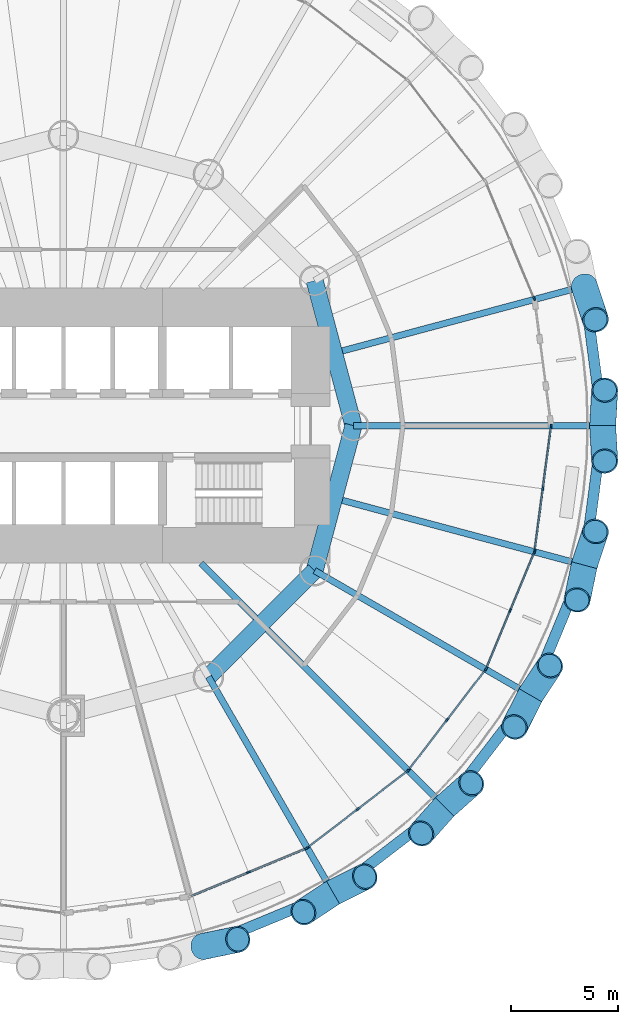
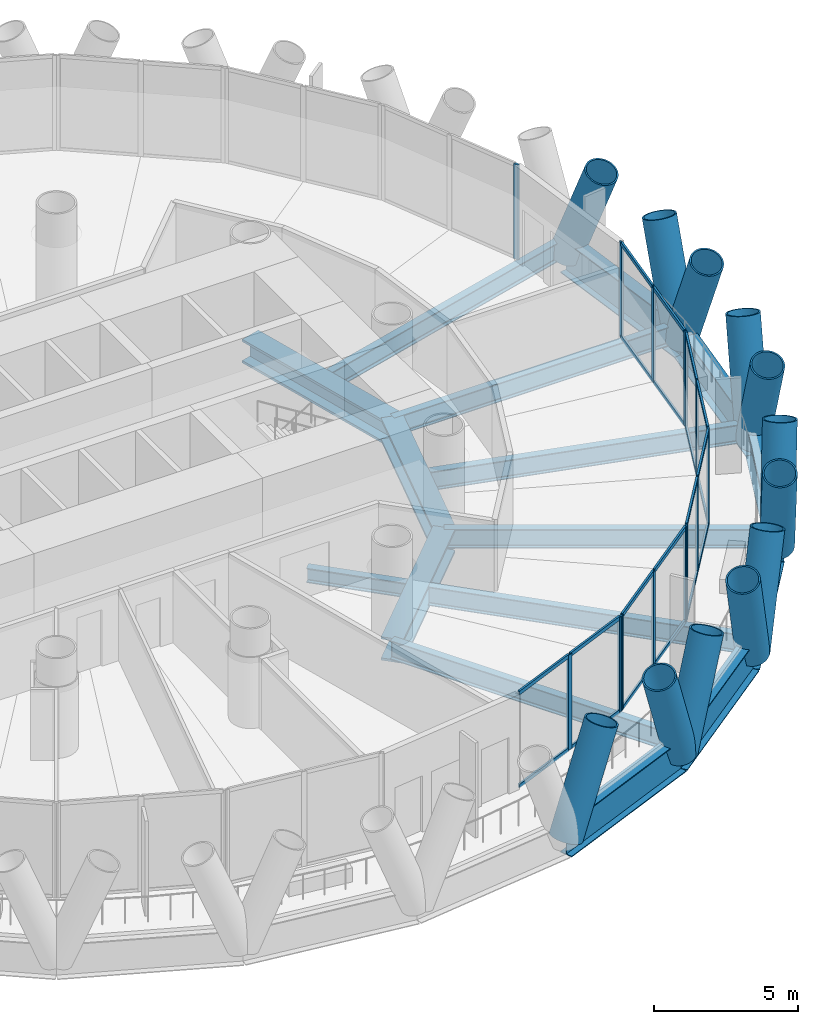
# One storey, part 4 of 14: 47 members, 16 beams, 6 elements without a shape of their own.
"""IFC4 building model written with IfcOpenShell, lengths in metres."""

from ifc_helpers import new_model, si_unit, direction, frame, origin, origin_2d, place, context, subcontext, project, spatial, rectangle, hollow_circle, i_section, extrude, material, material_profile, profile_set, type_object, element, aggregate, save


model = new_model("IFC4")

# Units and contexts
model_context = context("Model", 3, precision=1e-05, world=origin(), true_north=direction((0.0, 1.0)))
body_context = subcontext(model_context, "Body", "Model", "MODEL_VIEW")
ifc_project = project(units=[si_unit("LENGTHUNIT", "METRE"), si_unit("AREAUNIT", "SQUARE_METRE"), si_unit("VOLUMEUNIT", "CUBIC_METRE"), si_unit("PLANEANGLEUNIT", "RADIAN"), si_unit("MASSUNIT", "GRAM", prefix="KILO")], contexts=[model_context])

# Site, building, storey
site_placement = place(None, origin())
site = spatial("IfcSite", under=ifc_project, at=site_placement, CompositionType="ELEMENT")
building_placement = place(site_placement, origin())
building = spatial("IfcBuilding", under=site, at=building_placement, Name="Qaws Media Tower", CompositionType="ELEMENT")
storey_placement = place(building_placement, frame((0.0, 0.0, 59.60009765625)))
storey = spatial("IfcBuildingStorey", under=building, at=storey_placement, Name="L12", CompositionType="ELEMENT", Elevation=59.60009765625)

# Curtain wall, member
ifc_material_1 = material(Name="Aluminium and clear glass", Category="aluminium")
curtain_wall_type = type_object("IfcCurtainWallType", Name="Unitised curtain wall CW-A", PredefinedType="NOTDEFINED", material=ifc_material_1)
curtain_wall_1_placement = place(storey_placement, origin())
curtain_wall_1 = element("IfcCurtainWall", 1, at=curtain_wall_1_placement, inside=storey, type_object=curtain_wall_type, Name="CWA curtain wall L12-02", PredefinedType="NOTDEFINED")
ifc_material_2 = material(Name="Aluminium mullion", Category="aluminium")
ifc_material_profile_1 = material_profile(ifc_material_2, rectangle(XDim=0.080078125, YDim=0.199951171875, at=origin_2d()), Name="80x200")
ifc_profile_set_1 = profile_set([ifc_material_profile_1], Name="Aluminium mullion")
member_type_1 = type_object("IfcMemberType", Name="Curtain wall mullion 80x200", PredefinedType="MULLION", material=ifc_profile_set_1)
member_1_placement = place(storey_placement, frame((81.9111328125, 55.912109375, 0.0), z_axis=(0.0, 0.0, 1.0), x_axis=(-0.923879575765, -0.382683327941, 0.0)))
member_1 = element("IfcMember", 2, at=member_1_placement, type_object=member_type_1, Name="CWA mullion 1", PredefinedType="MULLION", context=body_context, shape_type="SweptSolid", body=[
    extrude(rectangle(XDim=0.080078125, YDim=0.199951171875, at=origin_2d()), origin(), (0.0, 0.0, 1.0), 4.039794921875),
])
aggregate(curtain_wall_1, [member_1])

# Curtain wall, members
curtain_wall_2_placement = place(storey_placement, origin())
curtain_wall_2 = element("IfcCurtainWall", 3, at=curtain_wall_2_placement, inside=storey, type_object=curtain_wall_type, Name="CWA curtain wall L12-20", PredefinedType="NOTDEFINED")
member_2_placement = place(storey_placement, frame((68.612548828125, 29.207275390625, 0.0), z_axis=(0.0, 0.0, 1.0), x_axis=(-0.382683327941, 0.923879575765, 0.0)))
member_2 = element("IfcMember", 4, at=member_2_placement, type_object=member_type_1, Name="CWA mullion 2", PredefinedType="MULLION", context=body_context, shape_type="SweptSolid", body=[
    extrude(rectangle(XDim=0.080078125, YDim=0.199951171875, at=origin_2d()), origin(), (0.0, 0.0, 1.0), 4.039794921875),
])
member_3_placement = place(storey_placement, frame((71.31298828125, 30.325927734375, 0.0), z_axis=(0.0, 0.0, 1.0), x_axis=(-0.382683327941, 0.923879575765, 0.0)))
member_3 = element("IfcMember", 5, at=member_3_placement, type_object=member_type_1, Name="CWA mullion 3", PredefinedType="MULLION", context=body_context, shape_type="SweptSolid", body=[
    extrude(rectangle(XDim=0.080078125, YDim=0.199951171875, at=origin_2d()), origin(), (0.0, 0.0, 1.0), 4.039794921875),
])

curtain_wall_3_placement = place(storey_placement, origin())
curtain_wall_3 = element("IfcCurtainWall", 6, at=curtain_wall_3_placement, inside=storey, type_object=curtain_wall_type, Name="CWA curtain wall L12-21", PredefinedType="NOTDEFINED")
member_4_placement = place(storey_placement, frame((71.3818359375, 30.365478515625, 0.0), z_axis=(0.0, 0.0, 1.0), x_axis=(-0.608761451911, 0.793353322718, 0.0)))
member_4 = element("IfcMember", 7, at=member_4_placement, type_object=member_type_1, Name="CWA mullion 1", PredefinedType="MULLION", context=body_context, shape_type="SweptSolid", body=[
    extrude(rectangle(XDim=0.080078125, YDim=0.199951171875, at=origin_2d()), origin(), (0.0, 0.0, 1.0), 4.039794921875),
])
member_5_placement = place(storey_placement, frame((73.70068359375, 32.14501953125, 0.0), z_axis=(0.0, 0.0, 1.0), x_axis=(-0.608761451911, 0.793353322718, 0.0)))
member_5 = element("IfcMember", 8, at=member_5_placement, type_object=member_type_1, Name="CWA mullion 2", PredefinedType="MULLION", context=body_context, shape_type="SweptSolid", body=[
    extrude(rectangle(XDim=0.080078125, YDim=0.199951171875, at=origin_2d()), origin(), (0.0, 0.0, 1.0), 4.039794921875),
])
member_6_placement = place(storey_placement, frame((76.01953125, 33.92431640625, 0.0), z_axis=(0.0, 0.0, 1.0), x_axis=(-0.608761451911, 0.793353322718, 0.0)))
member_6 = element("IfcMember", 9, at=member_6_placement, type_object=member_type_1, Name="CWA mullion 3", PredefinedType="MULLION", context=body_context, shape_type="SweptSolid", body=[
    extrude(rectangle(XDim=0.080078125, YDim=0.199951171875, at=origin_2d()), origin(), (0.0, 0.0, 1.0), 4.039794921875),
])

curtain_wall_4_placement = place(storey_placement, origin())
curtain_wall_4 = element("IfcCurtainWall", 10, at=curtain_wall_4_placement, inside=storey, type_object=curtain_wall_type, Name="CWA curtain wall L12-22", PredefinedType="NOTDEFINED")
member_7_placement = place(storey_placement, frame((76.07568359375, 33.98046875, 0.0), z_axis=(0.0, 0.0, 1.0), x_axis=(-0.793353322718, 0.608761451911, 0.0)))
member_7 = element("IfcMember", 11, at=member_7_placement, type_object=member_type_1, Name="CWA mullion 1", PredefinedType="MULLION", context=body_context, shape_type="SweptSolid", body=[
    extrude(rectangle(XDim=0.080078125, YDim=0.199951171875, at=origin_2d()), origin(), (0.0, 0.0, 1.0), 4.039794921875),
])
member_8_placement = place(storey_placement, frame((77.85498046875, 36.29931640625, 0.0), z_axis=(0.0, 0.0, 1.0), x_axis=(-0.793353322718, 0.608761451911, 0.0)))
member_8 = element("IfcMember", 12, at=member_8_placement, type_object=member_type_1, Name="CWA mullion 2", PredefinedType="MULLION", context=body_context, shape_type="SweptSolid", body=[
    extrude(rectangle(XDim=0.080078125, YDim=0.199951171875, at=origin_2d()), origin(), (0.0, 0.0, 1.0), 4.039794921875),
])
member_9_placement = place(storey_placement, frame((79.634521484375, 38.6181640625, 0.0), z_axis=(0.0, 0.0, 1.0), x_axis=(-0.793353322718, 0.608761451911, 0.0)))
member_9 = element("IfcMember", 13, at=member_9_placement, type_object=member_type_1, Name="CWA mullion 3", PredefinedType="MULLION", context=body_context, shape_type="SweptSolid", body=[
    extrude(rectangle(XDim=0.080078125, YDim=0.199951171875, at=origin_2d()), origin(), (0.0, 0.0, 1.0), 4.039794921875),
])

curtain_wall_5_placement = place(storey_placement, origin())
curtain_wall_5 = element("IfcCurtainWall", 14, at=curtain_wall_5_placement, inside=storey, type_object=curtain_wall_type, Name="CWA curtain wall L12-23", PredefinedType="NOTDEFINED")
member_10_placement = place(storey_placement, frame((79.674072265625, 38.68701171875, 0.0), z_axis=(0.0, 0.0, 1.0), x_axis=(-0.923879575765, 0.382683327941, 0.0)))
member_10 = element("IfcMember", 15, at=member_10_placement, type_object=member_type_1, Name="CWA mullion 1", PredefinedType="MULLION", context=body_context, shape_type="SweptSolid", body=[
    extrude(rectangle(XDim=0.080078125, YDim=0.199951171875, at=origin_2d()), origin(), (0.0, 0.0, 1.0), 4.039794921875),
])
member_11_placement = place(storey_placement, frame((80.792724609375, 41.387451171875, 0.0), z_axis=(0.0, 0.0, 1.0), x_axis=(-0.923879575765, 0.382683327941, 0.0)))
member_11 = element("IfcMember", 16, at=member_11_placement, type_object=member_type_1, Name="CWA mullion 2", PredefinedType="MULLION", context=body_context, shape_type="SweptSolid", body=[
    extrude(rectangle(XDim=0.080078125, YDim=0.199951171875, at=origin_2d()), origin(), (0.0, 0.0, 1.0), 4.039794921875),
])
member_12_placement = place(storey_placement, frame((81.9111328125, 44.087890625, 0.0), z_axis=(0.0, 0.0, 1.0), x_axis=(-0.923879575765, 0.382683327941, 0.0)))
member_12 = element("IfcMember", 17, at=member_12_placement, type_object=member_type_1, Name="CWA mullion 3", PredefinedType="MULLION", context=body_context, shape_type="SweptSolid", body=[
    extrude(rectangle(XDim=0.080078125, YDim=0.199951171875, at=origin_2d()), origin(), (0.0, 0.0, 1.0), 4.039794921875),
])

curtain_wall_6_placement = place(storey_placement, origin())
curtain_wall_6 = element("IfcCurtainWall", 18, at=curtain_wall_6_placement, inside=storey, type_object=curtain_wall_type, Name="CWA curtain wall L12-24", PredefinedType="NOTDEFINED")
member_13_placement = place(storey_placement, frame((81.931640625, 44.16455078125, 0.0), z_axis=(0.0, 0.0, 1.0), x_axis=(-0.991444854836, 0.130526241882, 0.0)))
member_13 = element("IfcMember", 19, at=member_13_placement, type_object=member_type_1, Name="CWA mullion 1", PredefinedType="MULLION", context=body_context, shape_type="SweptSolid", body=[
    extrude(rectangle(XDim=0.080078125, YDim=0.199951171875, at=origin_2d()), origin(), (0.0, 0.0, 1.0), 4.039794921875),
])
member_14_placement = place(storey_placement, frame((82.313232421875, 47.0625, 0.0), z_axis=(0.0, 0.0, 1.0), x_axis=(-0.991444854836, 0.130526241882, 0.0)))
member_14 = element("IfcMember", 20, at=member_14_placement, type_object=member_type_1, Name="CWA mullion 2", PredefinedType="MULLION", context=body_context, shape_type="SweptSolid", body=[
    extrude(rectangle(XDim=0.080078125, YDim=0.199951171875, at=origin_2d()), origin(), (0.0, 0.0, 1.0), 4.039794921875),
])
member_15_placement = place(storey_placement, frame((82.69482421875, 49.96044921875, 0.0), z_axis=(0.0, 0.0, 1.0), x_axis=(-0.991444854836, 0.130526241882, 0.0)))
member_15 = element("IfcMember", 21, at=member_15_placement, type_object=member_type_1, Name="CWA mullion 3", PredefinedType="MULLION", context=body_context, shape_type="SweptSolid", body=[
    extrude(rectangle(XDim=0.080078125, YDim=0.199951171875, at=origin_2d()), origin(), (0.0, 0.0, 1.0), 4.039794921875),
])

# Member
ifc_material_3 = material(Name="Aluminium transom", Category="aluminium")
ifc_material_profile_2 = material_profile(ifc_material_3, rectangle(XDim=0.080078125, YDim=0.159912109375, at=origin_2d()), Name="80x160")
ifc_profile_set_2 = profile_set([ifc_material_profile_2], Name="Aluminium transom")
member_type_2 = type_object("IfcMemberType", Name="Curtain wall transom 80x160", PredefinedType="USERDEFINED", material=ifc_profile_set_2)
member_16_placement = place(storey_placement, frame((65.94921875, 28.10400390625, 0.039794921875), z_axis=(0.923852493232, 0.382748704437, 0.0), x_axis=(-0.382748704437, 0.923852493232, 0.0)))
member_16 = element("IfcMember", 22, at=member_16_placement, type_object=member_type_2, Name="CWA transom 1.1", ObjectType="TRANSOM", PredefinedType="USERDEFINED", context=body_context, shape_type="SweptSolid", body=[
    extrude(rectangle(XDim=0.080078125, YDim=0.159912109375, at=origin_2d()), origin(), (0.0, 0.0, 1.0), 2.843017578125),
])

member_17_placement = place(storey_placement, frame((65.94921875, 28.10400390625, 4.0), z_axis=(0.923852493232, 0.382748704437, 0.0), x_axis=(-0.382748704437, 0.923852493232, 0.0)))
member_17 = element("IfcMember", 23, at=member_17_placement, type_object=member_type_2, Name="CWA transom 1.2", ObjectType="TRANSOM", PredefinedType="USERDEFINED", context=body_context, shape_type="SweptSolid", body=[
    extrude(rectangle(XDim=0.080078125, YDim=0.159912109375, at=origin_2d()), origin(), (0.0, 0.0, 1.0), 2.843017578125),
])

member_18_placement = place(storey_placement, frame((68.649658203125, 29.22265625, 0.039794921875), z_axis=(0.923882857314, 0.382675405483, 0.0), x_axis=(-0.382675405483, 0.923882857314, 0.0)))
member_18 = element("IfcMember", 24, at=member_18_placement, type_object=member_type_2, Name="CWA transom 2.1", ObjectType="TRANSOM", PredefinedType="USERDEFINED", context=body_context, shape_type="SweptSolid", body=[
    extrude(rectangle(XDim=0.080078125, YDim=0.159912109375, at=origin_2d()), origin(), (0.0, 0.0, 1.0), 2.8427734375),
])

member_19_placement = place(storey_placement, frame((68.649658203125, 29.22265625, 4.0), z_axis=(0.923882857314, 0.382675405483, 0.0), x_axis=(-0.382675405483, 0.923882857314, 0.0)))
member_19 = element("IfcMember", 25, at=member_19_placement, type_object=member_type_2, Name="CWA transom 2.2", ObjectType="TRANSOM", PredefinedType="USERDEFINED", context=body_context, shape_type="SweptSolid", body=[
    extrude(rectangle(XDim=0.080078125, YDim=0.159912109375, at=origin_2d()), origin(), (0.0, 0.0, 1.0), 2.8427734375),
])

aggregate(curtain_wall_2, [member_2, member_3, member_16, member_17, member_18, member_19])

member_20_placement = place(storey_placement, frame((71.41357421875, 30.389892578125, 0.039794921875), z_axis=(0.79333536919, 0.608784848689, 0.0), x_axis=(-0.608784848689, 0.79333536919, 0.0)))
member_20 = element("IfcMember", 26, at=member_20_placement, type_object=member_type_2, Name="CWA transom 1.1", ObjectType="TRANSOM", PredefinedType="USERDEFINED", context=body_context, shape_type="SweptSolid", body=[
    extrude(rectangle(XDim=0.080078125, YDim=0.159912109375, at=origin_2d()), origin(), (0.0, 0.0, 1.0), 2.843017578125),
])

member_21_placement = place(storey_placement, frame((71.41357421875, 30.389892578125, 4.0), z_axis=(0.79333536919, 0.608784848689, 0.0), x_axis=(-0.608784848689, 0.79333536919, 0.0)))
member_21 = element("IfcMember", 27, at=member_21_placement, type_object=member_type_2, Name="CWA transom 1.2", ObjectType="TRANSOM", PredefinedType="USERDEFINED", context=body_context, shape_type="SweptSolid", body=[
    extrude(rectangle(XDim=0.080078125, YDim=0.159912109375, at=origin_2d()), origin(), (0.0, 0.0, 1.0), 2.843017578125),
])

member_22_placement = place(storey_placement, frame((73.732421875, 32.169189453125, 0.039794921875), z_axis=(0.79333536919, 0.608784848689, 0.0), x_axis=(-0.608784848689, 0.79333536919, 0.0)))
member_22 = element("IfcMember", 28, at=member_22_placement, type_object=member_type_2, Name="CWA transom 2.1", ObjectType="TRANSOM", PredefinedType="USERDEFINED", context=body_context, shape_type="SweptSolid", body=[
    extrude(rectangle(XDim=0.080078125, YDim=0.159912109375, at=origin_2d()), origin(), (0.0, 0.0, 1.0), 2.843017578125),
])

member_23_placement = place(storey_placement, frame((73.732421875, 32.169189453125, 4.0), z_axis=(0.79333536919, 0.608784848689, 0.0), x_axis=(-0.608784848689, 0.79333536919, 0.0)))
member_23 = element("IfcMember", 29, at=member_23_placement, type_object=member_type_2, Name="CWA transom 2.2", ObjectType="TRANSOM", PredefinedType="USERDEFINED", context=body_context, shape_type="SweptSolid", body=[
    extrude(rectangle(XDim=0.080078125, YDim=0.159912109375, at=origin_2d()), origin(), (0.0, 0.0, 1.0), 2.843017578125),
])

aggregate(curtain_wall_3, [member_4, member_5, member_6, member_20, member_21, member_22, member_23])

member_24_placement = place(storey_placement, frame((76.10009765625, 34.01220703125, 0.039794921875), z_axis=(0.608784848689, 0.79333536919, 0.0), x_axis=(-0.79333536919, 0.608784848689, 0.0)))
member_24 = element("IfcMember", 30, at=member_24_placement, type_object=member_type_2, Name="CWA transom 1.1", ObjectType="TRANSOM", PredefinedType="USERDEFINED", context=body_context, shape_type="SweptSolid", body=[
    extrude(rectangle(XDim=0.080078125, YDim=0.159912109375, at=origin_2d()), origin(), (0.0, 0.0, 1.0), 2.843017578125),
])

member_25_placement = place(storey_placement, frame((76.10009765625, 34.01220703125, 4.0), z_axis=(0.608784848689, 0.79333536919, 0.0), x_axis=(-0.79333536919, 0.608784848689, 0.0)))
member_25 = element("IfcMember", 31, at=member_25_placement, type_object=member_type_2, Name="CWA transom 1.2", ObjectType="TRANSOM", PredefinedType="USERDEFINED", context=body_context, shape_type="SweptSolid", body=[
    extrude(rectangle(XDim=0.080078125, YDim=0.159912109375, at=origin_2d()), origin(), (0.0, 0.0, 1.0), 2.843017578125),
])

member_26_placement = place(storey_placement, frame((77.87939453125, 36.3310546875, 0.039794921875), z_axis=(0.608784848689, 0.79333536919, 0.0), x_axis=(-0.79333536919, 0.608784848689, 0.0)))
member_26 = element("IfcMember", 32, at=member_26_placement, type_object=member_type_2, Name="CWA transom 2.1", ObjectType="TRANSOM", PredefinedType="USERDEFINED", context=body_context, shape_type="SweptSolid", body=[
    extrude(rectangle(XDim=0.080078125, YDim=0.159912109375, at=origin_2d()), origin(), (0.0, 0.0, 1.0), 2.843017578125),
])

member_27_placement = place(storey_placement, frame((77.87939453125, 36.3310546875, 4.0), z_axis=(0.608784848689, 0.79333536919, 0.0), x_axis=(-0.79333536919, 0.608784848689, 0.0)))
member_27 = element("IfcMember", 33, at=member_27_placement, type_object=member_type_2, Name="CWA transom 2.2", ObjectType="TRANSOM", PredefinedType="USERDEFINED", context=body_context, shape_type="SweptSolid", body=[
    extrude(rectangle(XDim=0.080078125, YDim=0.159912109375, at=origin_2d()), origin(), (0.0, 0.0, 1.0), 2.843017578125),
])

aggregate(curtain_wall_4, [member_7, member_8, member_9, member_24, member_25, member_26, member_27])

member_28_placement = place(storey_placement, frame((79.689453125, 38.723876953125, 0.039794921875), z_axis=(0.382675405483, 0.923882857314, 0.0), x_axis=(-0.923882857314, 0.382675405483, 0.0)))
member_28 = element("IfcMember", 34, at=member_28_placement, type_object=member_type_2, Name="CWA transom 1.1", ObjectType="TRANSOM", PredefinedType="USERDEFINED", context=body_context, shape_type="SweptSolid", body=[
    extrude(rectangle(XDim=0.080078125, YDim=0.159912109375, at=origin_2d()), origin(), (0.0, 0.0, 1.0), 2.8427734375),
])

member_29_placement = place(storey_placement, frame((79.689453125, 38.723876953125, 4.0), z_axis=(0.382675405483, 0.923882857314, 0.0), x_axis=(-0.923882857314, 0.382675405483, 0.0)))
member_29 = element("IfcMember", 35, at=member_29_placement, type_object=member_type_2, Name="CWA transom 1.2", ObjectType="TRANSOM", PredefinedType="USERDEFINED", context=body_context, shape_type="SweptSolid", body=[
    extrude(rectangle(XDim=0.080078125, YDim=0.159912109375, at=origin_2d()), origin(), (0.0, 0.0, 1.0), 2.8427734375),
])

member_30_placement = place(storey_placement, frame((80.807861328125, 41.42431640625, 0.039794921875), z_axis=(0.382748704437, 0.923852493232, 0.0), x_axis=(-0.923852493232, 0.382748704437, 0.0)))
member_30 = element("IfcMember", 36, at=member_30_placement, type_object=member_type_2, Name="CWA transom 2.1", ObjectType="TRANSOM", PredefinedType="USERDEFINED", context=body_context, shape_type="SweptSolid", body=[
    extrude(rectangle(XDim=0.080078125, YDim=0.159912109375, at=origin_2d()), origin(), (0.0, 0.0, 1.0), 2.843017578125),
])

member_31_placement = place(storey_placement, frame((80.807861328125, 41.42431640625, 4.0), z_axis=(0.382748704437, 0.923852493232, 0.0), x_axis=(-0.923852493232, 0.382748704437, 0.0)))
member_31 = element("IfcMember", 37, at=member_31_placement, type_object=member_type_2, Name="CWA transom 2.2", ObjectType="TRANSOM", PredefinedType="USERDEFINED", context=body_context, shape_type="SweptSolid", body=[
    extrude(rectangle(XDim=0.080078125, YDim=0.159912109375, at=origin_2d()), origin(), (0.0, 0.0, 1.0), 2.843017578125),
])

aggregate(curtain_wall_5, [member_10, member_11, member_12, member_28, member_29, member_30, member_31])

member_32_placement = place(storey_placement, frame((81.93701171875, 44.2041015625, 0.039794921875), z_axis=(0.130532262837, 0.991444062143, 0.0), x_axis=(-0.991444062143, 0.130532262837, 0.0)))
member_32 = element("IfcMember", 38, at=member_32_placement, type_object=member_type_2, Name="CWA transom 1.1", ObjectType="TRANSOM", PredefinedType="USERDEFINED", context=body_context, shape_type="SweptSolid", body=[
    extrude(rectangle(XDim=0.080078125, YDim=0.159912109375, at=origin_2d()), origin(), (0.0, 0.0, 1.0), 2.843017578125),
])

member_33_placement = place(storey_placement, frame((81.93701171875, 44.2041015625, 4.0), z_axis=(0.130532262837, 0.991444062143, 0.0), x_axis=(-0.991444062143, 0.130532262837, 0.0)))
member_33 = element("IfcMember", 39, at=member_33_placement, type_object=member_type_2, Name="CWA transom 1.2", ObjectType="TRANSOM", PredefinedType="USERDEFINED", context=body_context, shape_type="SweptSolid", body=[
    extrude(rectangle(XDim=0.080078125, YDim=0.159912109375, at=origin_2d()), origin(), (0.0, 0.0, 1.0), 2.843017578125),
])

member_34_placement = place(storey_placement, frame((82.318359375, 47.10205078125, 0.039794921875), z_axis=(0.130532262837, 0.991444062143, 0.0), x_axis=(-0.991444062143, 0.130532262837, 0.0)))
member_34 = element("IfcMember", 40, at=member_34_placement, type_object=member_type_2, Name="CWA transom 2.1", ObjectType="TRANSOM", PredefinedType="USERDEFINED", context=body_context, shape_type="SweptSolid", body=[
    extrude(rectangle(XDim=0.080078125, YDim=0.159912109375, at=origin_2d()), origin(), (0.0, 0.0, 1.0), 2.843017578125),
])

member_35_placement = place(storey_placement, frame((82.318359375, 47.10205078125, 4.0), z_axis=(0.130532262837, 0.991444062143, 0.0), x_axis=(-0.991444062143, 0.130532262837, 0.0)))
member_35 = element("IfcMember", 41, at=member_35_placement, type_object=member_type_2, Name="CWA transom 2.2", ObjectType="TRANSOM", PredefinedType="USERDEFINED", context=body_context, shape_type="SweptSolid", body=[
    extrude(rectangle(XDim=0.080078125, YDim=0.159912109375, at=origin_2d()), origin(), (0.0, 0.0, 1.0), 2.843017578125),
])

aggregate(curtain_wall_6, [member_13, member_14, member_15, member_32, member_33, member_34, member_35])

# Members
ifc_material_4 = material(Name="Steel S460", Category="steel")
ifc_material_profile_3 = material_profile(ifc_material_4, hollow_circle(Radius=0.609619140625, WallThickness=0.06005859375, at=origin_2d()), Name="CHS 1219x60")
ifc_profile_set_3 = profile_set([ifc_material_profile_3], Name="Steel S460")
member_type_3 = type_object("IfcMemberType", Name="Diagrid member CHS 1219x60", PredefinedType="USERDEFINED", material=ifc_profile_set_3)
for number, where, z_axis, x_axis, name in (
    (42, (85.10009765625, 50.0, -0.91015625), (0.021255688094, 0.365835812381, 0.930436647012), (-0.998316356906, 0.05800389241, 0.0), "DG1 diagrid L12 A01"),
    (43, (85.10009765625, 50.0, -0.91015625), (0.021255688094, -0.365835812381, 0.930436647012), (0.998316356906, 0.05800389241, 0.0), "DG1 diagrid L12 B01"),
    (44, (84.24462890625, 56.496337890625, -0.91015625), (0.115255719276, -0.347876483521, 0.930428971705), (0.949257302404, 0.314500514836, 0.0), "DG1 diagrid L12 B02"),
    (45, (66.496337890625, 25.75537109375, -0.91015625), (0.358907594916, 0.074150438913, 0.930423049328), (-0.202327438481, 0.979317929805, 0.0), "DG1 diagrid L12 A20"),
    (46, (72.550048828125, 28.2626953125, -0.91015625), (0.327435652555, 0.164529113821, 0.930438640718), (-0.448983858179, 0.893539867658, 0.0), "DG1 diagrid L12 A21"),
    (47, (72.550048828125, 28.2626953125, -0.91015625), (-0.306230937512, -0.201305466164, 0.930429321444), (0.549307457757, -0.835620318597, 0.0), "DG1 diagrid L12 B21"),
    (48, (77.748291015625, 32.251708984375, -0.91015625), (0.273726789303, 0.243655243195, 0.930433107365), (-0.664885834354, 0.746944996152, 0.0), "DG1 diagrid L12 A22"),
    (49, (77.748291015625, 32.251708984375, -0.91015625), (-0.243655243195, -0.273726789303, 0.930433107365), (0.746944996152, -0.664885834354, 0.0), "DG1 diagrid L12 B22"),
    (50, (81.7373046875, 37.449951171875, -0.91015625), (0.201305466164, 0.306230937512, 0.930429321444), (-0.835620318597, 0.549307457757, 0.0), "DG1 diagrid L12 A23"),
    (51, (81.7373046875, 37.449951171875, -0.91015625), (-0.164529113821, -0.327435652555, 0.930438640718), (0.893539867658, -0.448983858179, 0.0), "DG1 diagrid L12 B23"),
    (52, (84.24462890625, 43.503662109375, -0.91015625), (0.115255719276, 0.347876483521, 0.930428971705), (-0.949257302404, 0.314500514836, 0.0), "DG1 diagrid L12 A24"),
    (53, (84.24462890625, 43.503662109375, -0.91015625), (-0.074150438913, -0.358907594916, 0.930423049328), (0.979317929805, -0.202327438481, 0.0), "DG1 diagrid L12 B24"),
):
    element("IfcMember", number, at=place(storey_placement, frame(where, z_axis=z_axis, x_axis=x_axis)), inside=storey, type_object=member_type_3, Name=name, ObjectType="DIAGRID", PredefinedType="USERDEFINED", context=body_context, shape_type="SweptSolid", body=[
        extrude(hollow_circle(Radius=0.609619140625, WallThickness=0.06005859375, at=origin_2d()), origin(), (0.0, 0.0, 1.0), 4.513916015625),
    ])

# Beams
ifc_material_5 = material(Name="Steel S460", Category="steel")
ifc_material_profile_4 = material_profile(ifc_material_5, i_section(OverallWidth=0.5, OverallDepth=1.5, WebThickness=0.02001953125, FlangeThickness=0.0400390625, at=origin_2d()), Name="PG 1500x500")
ifc_profile_set_4 = profile_set([ifc_material_profile_4], Name="Steel S460")
beam_type_1 = type_object("IfcBeamType", Name="Edge ring beam PG 1500x500", PredefinedType="BEAM", material=ifc_profile_set_4)
for number, where, z_axis, x_axis, name in (
    (54, (85.10009765625, 50.0, -0.91015625), (-0.130557641571, 0.991440720481, 0.0), (-0.991440720481, -0.130557641571, 0.0), "RB4 edge ring beam L12-01"),
    (55, (66.496337890625, 25.75537109375, -0.91015625), (0.923890590997, 0.382656733729, 0.0), (-0.382656733729, 0.923890590997, 0.0), "RB4 edge ring beam L12-20"),
    (56, (72.550048828125, 28.2626953125, -0.91015625), (0.793334017296, 0.608786610398, 0.0), (-0.608786610398, 0.793334017296, 0.0), "RB4 edge ring beam L12-21"),
    (57, (77.748291015625, 32.251708984375, -0.91015625), (0.608786610398, 0.793334017296, 0.0), (-0.793334017296, 0.608786610398, 0.0), "RB4 edge ring beam L12-22"),
    (58, (81.7373046875, 37.449951171875, -0.91015625), (0.382656733729, 0.923890590997, 0.0), (-0.923890590997, 0.382656733729, 0.0), "RB4 edge ring beam L12-23"),
    (59, (84.24462890625, 43.503662109375, -0.91015625), (0.130557641571, 0.991440720481, 0.0), (-0.991440720481, 0.130557641571, 0.0), "RB4 edge ring beam L12-24"),
):
    element("IfcBeam", number, at=place(storey_placement, frame(where, z_axis=z_axis, x_axis=x_axis)), inside=storey, type_object=beam_type_1, Name=name, PredefinedType="BEAM", context=body_context, shape_type="SweptSolid", body=[
        extrude(i_section(OverallWidth=0.5, OverallDepth=1.5, WebThickness=0.02001953125, FlangeThickness=0.0400390625, at=origin_2d()), origin(), (0.0, 0.0, 1.0), 6.552490234375),
    ])
ifc_material_6 = material(Name="Steel S460", Category="steel")
ifc_material_profile_5 = material_profile(ifc_material_6, i_section(OverallWidth=0.800048828125, OverallDepth=1.0, WebThickness=0.0400390625, FlangeThickness=0.10009765625, at=origin_2d()), Name="PG 1000x800")
ifc_profile_set_5 = profile_set([ifc_material_profile_5], Name="Steel S460")
beam_type_2 = type_object("IfcBeamType", Name="Inner ring girder PG 1000x800", PredefinedType="BEAM", material=ifc_profile_set_5)
beam_1_placement = place(storey_placement, frame((73.5, 50.0, -0.66015625), z_axis=(-0.258810593767, 0.965928090778, 0.0), x_axis=(-0.965928090778, -0.258810593767, 0.0)))
element("IfcBeam", 60, at=beam_1_placement, inside=storey, type_object=beam_type_2, Name="B3 inner ring beam L12 I01-I02", PredefinedType="BEAM", context=body_context, shape_type="SweptSolid", body=[
    extrude(i_section(OverallWidth=0.800048828125, OverallDepth=1.0, WebThickness=0.0400390625, FlangeThickness=0.10009765625, at=origin_2d()), origin(), (0.0, 0.0, 1.0), 6.988037109375),
])
beam_2_placement = place(storey_placement, frame((66.75, 38.30859375, -0.66015625), z_axis=(0.707106781187, 0.707106781187, 0.0), x_axis=(-0.707106781187, 0.707106781187, 0.0)))
element("IfcBeam", 61, at=beam_2_placement, inside=storey, type_object=beam_type_2, Name="B3 inner ring beam L12 I11-I12", PredefinedType="BEAM", context=body_context, shape_type="SweptSolid", body=[
    extrude(i_section(OverallWidth=0.800048828125, OverallDepth=1.0, WebThickness=0.0400390625, FlangeThickness=0.10009765625, at=origin_2d()), origin(), (0.0, 0.0, 1.0), 6.98828125),
])
beam_3_placement = place(storey_placement, frame((71.69140625, 43.25, -0.66015625), z_axis=(0.258810593767, 0.965928090778, 0.0), x_axis=(-0.965928090778, 0.258810593767, 0.0)))
element("IfcBeam", 62, at=beam_3_placement, inside=storey, type_object=beam_type_2, Name="B3 inner ring beam L12 I12-I01", PredefinedType="BEAM", context=body_context, shape_type="SweptSolid", body=[
    extrude(i_section(OverallWidth=0.800048828125, OverallDepth=1.0, WebThickness=0.0400390625, FlangeThickness=0.10009765625, at=origin_2d()), origin(), (0.0, 0.0, 1.0), 6.988037109375),
])
ifc_material_7 = material(Name="Steel S355", Category="steel")
ifc_material_profile_6 = material_profile(ifc_material_7, i_section(OverallWidth=0.304931640625, OverallDepth=0.6201171875, WebThickness=0.02099609375, FlangeThickness=0.0400390625, FilletRadius=0.027099609375, at=origin_2d()), Name="HE 600 M")
ifc_profile_set_6 = profile_set([ifc_material_profile_6], Name="Steel S355")
beam_type_3 = type_object("IfcBeamType", Name="Radial beam HE 600 M, core side", PredefinedType="BEAM", material=ifc_profile_set_6)
beam_4_placement = place(storey_placement, frame((66.39990234375, 43.60009765625, -0.47021484375), z_axis=(0.707106781187, -0.707106781187, 0.0), x_axis=(0.707106781187, 0.707106781187, 0.0)))
element("IfcBeam", 63, at=beam_4_placement, inside=storey, type_object=beam_type_3, Name="B2 radial beam L12 22", PredefinedType="BEAM", context=body_context, shape_type="SweptSolid", body=[
    extrude(i_section(OverallWidth=0.304931640625, OverallDepth=0.6201171875, WebThickness=0.02099609375, FlangeThickness=0.0400390625, FilletRadius=0.027099609375, at=origin_2d()), origin(), (0.0, 0.0, 1.0), 3.589111328125),
])
ifc_material_8 = material(Name="Steel S355", Category="steel")
ifc_material_profile_7 = material_profile(ifc_material_8, i_section(OverallWidth=0.300048828125, OverallDepth=0.800048828125, WebThickness=0.017578125, FlangeThickness=0.032958984375, FilletRadius=0.030029296875, at=origin_2d()), Name="HE 800 B")
ifc_profile_set_7 = profile_set([ifc_material_profile_7], Name="Steel S355")
beam_type_4 = type_object("IfcBeamType", Name="Radial beam HE 800 B", PredefinedType="BEAM", material=ifc_profile_set_7)
beam_5_placement = place(storey_placement, frame((73.5, 50.0, -0.56005859375), z_axis=(1.0, 0.0, 0.0), x_axis=(0.0, 1.0, 0.0)))
element("IfcBeam", 64, at=beam_5_placement, inside=storey, type_object=beam_type_4, Name="B1 radial beam L12 01", PredefinedType="BEAM", context=body_context, shape_type="SweptSolid", body=[
    extrude(i_section(OverallWidth=0.300048828125, OverallDepth=0.800048828125, WebThickness=0.017578125, FlangeThickness=0.032958984375, FilletRadius=0.030029296875, at=origin_2d()), origin(), (0.0, 0.0, 1.0), 11.60009765625),
])
beam_6_placement = place(storey_placement, frame((72.98193359375, 53.478515625, -0.56005859375), z_axis=(0.965925994556, 0.258818417123, 0.0), x_axis=(-0.258818417123, 0.965925994556, 0.0)))
element("IfcBeam", 65, at=beam_6_placement, inside=storey, type_object=beam_type_4, Name="B1 radial beam L12 02", PredefinedType="BEAM", context=body_context, shape_type="SweptSolid", body=[
    extrude(i_section(OverallWidth=0.300048828125, OverallDepth=0.800048828125, WebThickness=0.017578125, FlangeThickness=0.032958984375, FilletRadius=0.030029296875, at=origin_2d()), origin(), (0.0, 0.0, 1.0), 11.659912109375),
])
beam_7_placement = place(storey_placement, frame((66.75, 38.30859375, -0.56005859375), z_axis=(0.500003016864, -0.86602366199, 0.0), x_axis=(0.86602366199, 0.500003016864, 0.0)))
element("IfcBeam", 66, at=beam_7_placement, inside=storey, type_object=beam_type_4, Name="B1 radial beam L12 21", PredefinedType="BEAM", context=body_context, shape_type="SweptSolid", body=[
    extrude(i_section(OverallWidth=0.300048828125, OverallDepth=0.800048828125, WebThickness=0.017578125, FlangeThickness=0.032958984375, FilletRadius=0.030029296875, at=origin_2d()), origin(), (0.0, 0.0, 1.0), 11.60009765625),
])
beam_8_placement = place(storey_placement, frame((69.50341796875, 40.49658203125, -0.56005859375), z_axis=(0.707106781187, -0.707106781187, 0.0), x_axis=(0.707106781187, 0.707106781187, 0.0)))
element("IfcBeam", 67, at=beam_8_placement, inside=storey, type_object=beam_type_4, Name="B1 radial beam L12 22", PredefinedType="BEAM", context=body_context, shape_type="SweptSolid", body=[
    extrude(i_section(OverallWidth=0.300048828125, OverallDepth=0.800048828125, WebThickness=0.017578125, FlangeThickness=0.032958984375, FilletRadius=0.030029296875, at=origin_2d()), origin(), (0.0, 0.0, 1.0), 11.659912109375),
])
beam_9_placement = place(storey_placement, frame((71.69140625, 43.25, -0.56005859375), z_axis=(0.86602366199, -0.500003016864, 0.0), x_axis=(0.500003016864, 0.86602366199, 0.0)))
element("IfcBeam", 68, at=beam_9_placement, inside=storey, type_object=beam_type_4, Name="B1 radial beam L12 23", PredefinedType="BEAM", context=body_context, shape_type="SweptSolid", body=[
    extrude(i_section(OverallWidth=0.300048828125, OverallDepth=0.800048828125, WebThickness=0.017578125, FlangeThickness=0.032958984375, FilletRadius=0.030029296875, at=origin_2d()), origin(), (0.0, 0.0, 1.0), 11.60009765625),
])
beam_10_placement = place(storey_placement, frame((72.98193359375, 46.521484375, -0.56005859375), z_axis=(0.965925994556, -0.258818417123, 0.0), x_axis=(0.258818417123, 0.965925994556, 0.0)))
element("IfcBeam", 69, at=beam_10_placement, inside=storey, type_object=beam_type_4, Name="B1 radial beam L12 24", PredefinedType="BEAM", context=body_context, shape_type="SweptSolid", body=[
    extrude(i_section(OverallWidth=0.300048828125, OverallDepth=0.800048828125, WebThickness=0.017578125, FlangeThickness=0.032958984375, FilletRadius=0.030029296875, at=origin_2d()), origin(), (0.0, 0.0, 1.0), 11.659912109375),
])

save(model, "model.ifc")
